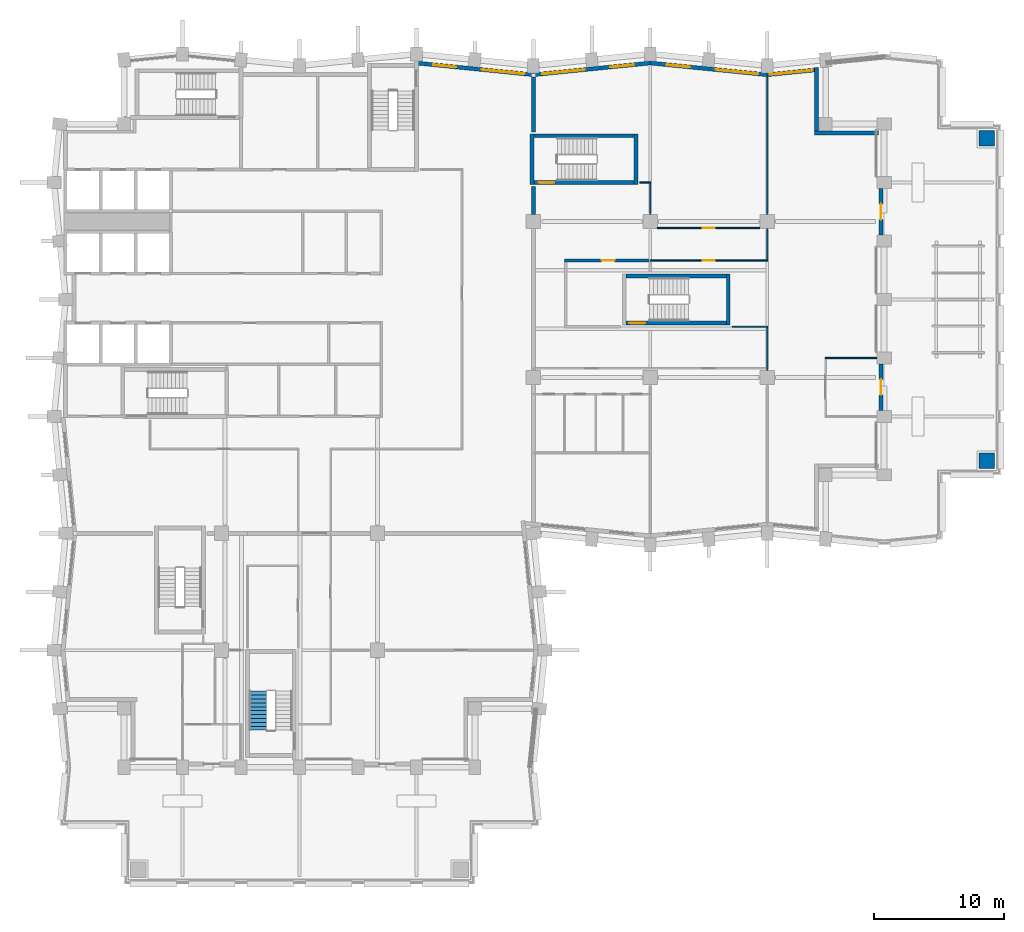
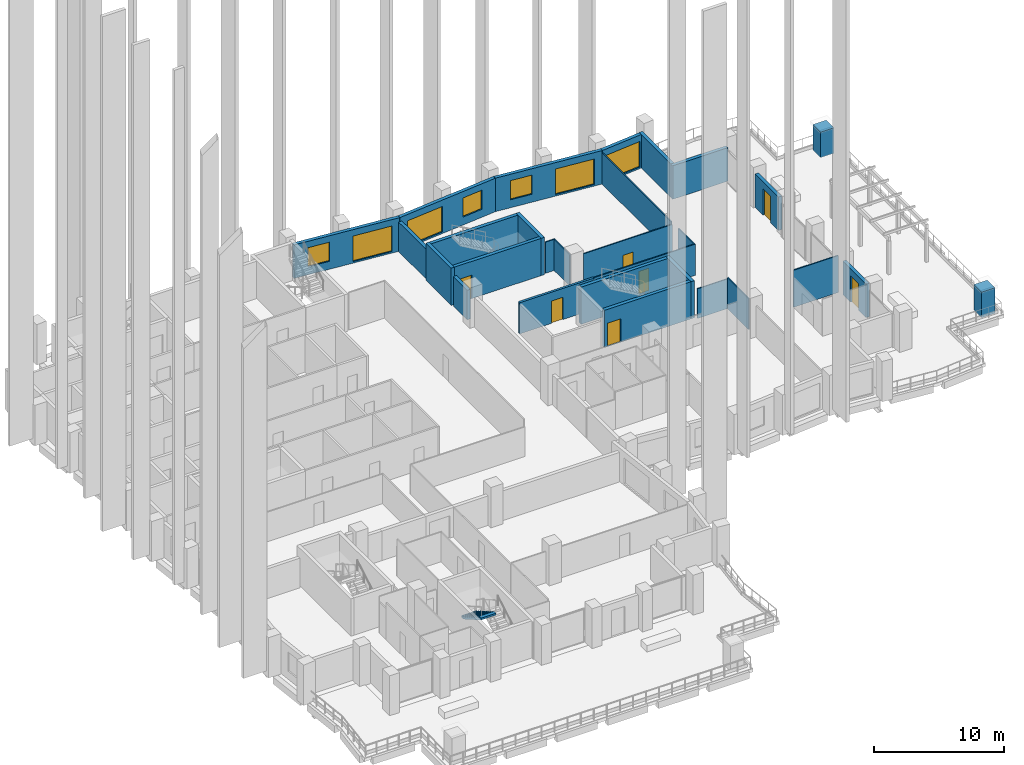
# One storey, part 14 of 18: 29 walls, 7 doors, 7 windows, 1 stair flight, 14 openings, 1 element without a shape of its own.
"""IFC4 building model written with IfcOpenShell, lengths in metres."""

from ifc_helpers import new_model, si_unit, direction, frame, frame_2d, origin, place, context, subcontext, project, spatial, polyline, rectangle, outline, extrude, material, layer, layer_set, type_object, element, fill, aggregate, save


model = new_model("IFC4")

# Units and contexts
model_context = context("Model", 3, precision=1e-05, world=origin(), true_north=direction((0.0, 1.0)))
body_context = subcontext(model_context, "Body", "Model", "MODEL_VIEW")
ifc_project = project(units=[si_unit("LENGTHUNIT", "METRE"), si_unit("AREAUNIT", "SQUARE_METRE"), si_unit("VOLUMEUNIT", "CUBIC_METRE"), si_unit("PLANEANGLEUNIT", "RADIAN"), si_unit("MASSUNIT", "GRAM", prefix="KILO")], contexts=[model_context])

# Site, building, storey
site_placement = place(None, origin())
site = spatial("IfcSite", under=ifc_project, at=site_placement, CompositionType="ELEMENT")
building_placement = place(site_placement, origin())
building = spatial("IfcBuilding", under=site, at=building_placement, Name="Brondeck Convention Tower", CompositionType="ELEMENT")
storey_placement = place(building_placement, frame((0.0, 0.0, 143.39990234375)))
storey = spatial("IfcBuildingStorey", under=building, at=storey_placement, Name="L34", CompositionType="ELEMENT", Elevation=143.39990234375)

# Walls
ifc_material_1 = material(Name="Concrete compartment wall C30/37", Category="concrete")
ifc_layer_1 = layer(ifc_material_1, 0.300048828125)
ifc_layer_set_1 = layer_set([ifc_layer_1], Name="Compartment wall 300")
wall_type_1 = type_object("IfcWallType", Name="Compartment wall 300", PredefinedType="PARTITIONING", material=ifc_layer_set_1)
wall_1_placement = place(storey_placement, frame((36.0, 51.554931640625, 0.0), z_axis=(0.0, 0.0, 1.0), x_axis=(0.0, 1.0, 0.0)))
element("IfcWall", 1, at=wall_1_placement, inside=storey, type_object=wall_type_1, Name="FLR-L34-W065", PredefinedType="PARTITIONING", context=body_context, shape_type="SweptSolid", body=[
    extrude(rectangle(XDim=2.14501953125, YDim=0.300048828125, at=frame_2d((1.072509765625, 0.0))), origin(), (0.0, 0.0, 1.0), 2.780029296875),
])
wall_2_placement = place(storey_placement, frame((36.0, 57.89990234375, 0.0), z_axis=(0.0, 0.0, 1.0), x_axis=(0.0, 1.0, 0.0)))
element("IfcWall", 2, at=wall_2_placement, inside=storey, type_object=wall_type_1, Name="FLR-L34-W071", PredefinedType="PARTITIONING", context=body_context, shape_type="SweptSolid", body=[
    extrude(rectangle(XDim=4.22607421875, YDim=0.300048828125, at=frame_2d((2.113037109375, 0.0))), origin(), (0.0, 0.0, 1.0), 2.780029296875),
])
ifc_material_2 = material(Name="Precast concrete C50/60 bronze finish", Category="concrete")
ifc_layer_2 = layer(ifc_material_2, 0.070068359375, Name="Bronze precast facing")
ifc_material_3 = material(Name="Mineral wool")
ifc_layer_3 = layer(ifc_material_3, 0.159912109375, Name="Insulation")
ifc_material_4 = material(Name="Concrete C35/45", Category="concrete")
ifc_layer_4 = layer(ifc_material_4, 0.070068359375, Name="Backing")
ifc_layer_set_2 = layer_set([ifc_layer_2, ifc_layer_3, ifc_layer_4], Name="External infill wall, precast concrete C50/60 bronze facing")
wall_type_2 = type_object("IfcWallType", Name="External infill wall, precast concrete C50/60 bronze facing", PredefinedType="SOLIDWALL", material=ifc_layer_set_2)
wall_3_placement = place(storey_placement, frame((57.64990234375, 57.800048828125, 0.0), z_axis=(0.0, 0.0, 1.0), x_axis=(1.0, 0.0, 0.0)))
element("IfcWall", 3, at=wall_3_placement, inside=storey, type_object=wall_type_2, Name="ENV-EW-L34-P1-NC-NEA63-01", PredefinedType="SOLIDWALL", context=body_context, shape_type="SweptSolid", body=[
    extrude(rectangle(XDim=4.900146484375, YDim=0.300048828125, at=frame_2d((2.4501953125, 0.0))), origin(), (0.0, 0.0, 1.0), 3.150146484375),
])
wall_4_placement = place(storey_placement, frame((57.800048828125, 62.84228515625, 0.0), z_axis=(0.0, 0.0, 1.0), x_axis=(0.0, -1.0, 0.0)))
element("IfcWall", 4, at=wall_4_placement, inside=storey, type_object=wall_type_2, Name="ENV-EW-L34-P1-NC-NEA63-02", PredefinedType="SOLIDWALL", context=body_context, shape_type="SweptSolid", body=[
    extrude(rectangle(XDim=4.894287109375, YDim=0.300048828125, at=frame_2d((2.447265625, 0.0))), origin(), (0.0, 0.0, 1.0), 3.150146484375),
])

# Wall, opening, window
wall_5_placement = place(storey_placement, frame((53.985107421875, 62.294921875, 0.0), z_axis=(0.0, 0.0, 1.0), x_axis=(0.99503719021, 0.099503719021, 0.0)))
wall_5 = element("IfcWall", 5, at=wall_5_placement, inside=storey, type_object=wall_type_2, Name="ENV-EW-L34-P1-A-N-12", PredefinedType="SOLIDWALL", context=body_context, shape_type="SweptSolid", body=[
    extrude(rectangle(XDim=3.677978515625, YDim=0.300048828125, at=frame_2d((1.8388671875, 0.0))), origin(), (0.0, 0.0, 1.0), 3.150146484375),
])
opening_1_placement = place(wall_5_placement, frame((0.22802734375, 0.0, 0.14990234375)))
opening_1 = element("IfcOpeningElement", 6, at=opening_1_placement, cuts=wall_5, Name="Opening W9", PredefinedType="OPENING", context=body_context, shape_type="SweptSolid", body=[
    extrude(rectangle(XDim=3.300048828125, YDim=2.39990234375, at=frame_2d((1.64990234375, 1.199951171875))), frame((0.0, 0.159912109375, 0.0), z_axis=(0.0, -1.0, 0.0), x_axis=(1.0, 0.0, 0.0)), (0.0, 0.0, 1.0), 0.320068359375),
])
ifc_material_5 = material(Name="Bronze tinted double glazing", Category="glass")
window_type_1 = type_object("IfcWindowType", Name="Glazed flute window, bronze tinted", PartitioningType="SINGLE_PANEL", PredefinedType="WINDOW", material=ifc_material_5)
window_1_placement = place(opening_1_placement, origin())
window_1 = element("IfcWindow", 7, at=window_1_placement, inside=storey, type_object=window_type_1, Name="ENV-WN-L34-P1-A-N-12", OverallHeight=2.39990234375, OverallWidth=3.300048828125, PartitioningType="SINGLE_PANEL", PredefinedType="WINDOW", context=body_context, shape_type="SweptSolid", body=[
    extrude(rectangle(XDim=3.300048828125, YDim=2.39990234375, at=frame_2d((1.64990234375, 1.199951171875))), frame((0.0, 0.030029296875, 0.0), z_axis=(0.0, -1.0, 0.0), x_axis=(1.0, 0.0, 0.0)), (0.0, 0.0, 1.0), 0.06005859375),
])
fill(opening_1, window_1)

# Wall, openings, windows
wall_6_placement = place(storey_placement, frame((44.985107421875, 63.197998046875, 0.0), z_axis=(0.0, 0.0, 1.0), x_axis=(0.995037993253, -0.099495688264, 0.0)))
wall_6 = element("IfcWall", 8, at=wall_6_placement, inside=storey, type_object=wall_type_2, Name="ENV-EW-L34-P1-A-N-11", PredefinedType="SOLIDWALL", context=body_context, shape_type="SweptSolid", body=[
    extrude(rectangle(XDim=9.030029296875, YDim=0.300048828125, at=frame_2d((4.51513671875, 0.0))), origin(), (0.0, 0.0, 1.0), 3.150146484375),
])
opening_2_placement = place(wall_6_placement, frame((1.30615234375, 0.0, 0.75)))
opening_2 = element("IfcOpeningElement", 9, at=opening_2_placement, cuts=wall_6, Name="Opening W10", PredefinedType="OPENING", context=body_context, shape_type="SweptSolid", body=[
    extrude(rectangle(XDim=1.800048828125, YDim=1.800048828125, at=frame_2d((0.89990234375, 0.89990234375))), frame((0.0, 0.159912109375, 0.0), z_axis=(0.0, -1.0, 0.0), x_axis=(1.0, 0.0, 0.0)), (0.0, 0.0, 1.0), 0.320068359375),
])
opening_3_placement = place(wall_6_placement, frame((5.07861328125, 0.0, 0.14990234375)))
opening_3 = element("IfcOpeningElement", 10, at=opening_3_placement, cuts=wall_6, Name="Opening W9", PredefinedType="OPENING", context=body_context, shape_type="SweptSolid", body=[
    extrude(rectangle(XDim=3.300048828125, YDim=2.39990234375, at=frame_2d((1.64990234375, 1.199951171875))), frame((0.0, 0.159912109375, 0.0), z_axis=(0.0, -1.0, 0.0), x_axis=(1.0, 0.0, 0.0)), (0.0, 0.0, 1.0), 0.320068359375),
])
window_2_placement = place(opening_3_placement, origin())
window_2 = element("IfcWindow", 11, at=window_2_placement, inside=storey, type_object=window_type_1, Name="ENV-WN-L34-P1-A-N-11", OverallHeight=2.39990234375, OverallWidth=3.300048828125, PartitioningType="SINGLE_PANEL", PredefinedType="WINDOW", context=body_context, shape_type="SweptSolid", body=[
    extrude(rectangle(XDim=3.300048828125, YDim=2.39990234375, at=frame_2d((1.64990234375, 1.199951171875))), frame((0.0, 0.030029296875, 0.0), z_axis=(0.0, -1.0, 0.0), x_axis=(1.0, 0.0, 0.0)), (0.0, 0.0, 1.0), 0.06005859375),
])
fill(opening_3, window_2)
window_type_2 = type_object("IfcWindowType", Name="Punched window, bronze tinted", PartitioningType="SINGLE_PANEL", PredefinedType="WINDOW", material=ifc_material_5)
window_3_placement = place(opening_2_placement, origin())
window_3 = element("IfcWindow", 12, at=window_3_placement, inside=storey, type_object=window_type_2, Name="ENV-WN-L34-P1-A-N-10", OverallHeight=1.800048828125, OverallWidth=1.800048828125, PartitioningType="SINGLE_PANEL", PredefinedType="WINDOW", context=body_context, shape_type="SweptSolid", body=[
    extrude(rectangle(XDim=1.800048828125, YDim=1.800048828125, at=frame_2d((0.89990234375, 0.89990234375))), frame((0.0, 0.030029296875, 0.0), z_axis=(0.0, -1.0, 0.0), x_axis=(1.0, 0.0, 0.0)), (0.0, 0.0, 1.0), 0.06005859375),
])
fill(opening_2, window_3)

wall_7_placement = place(storey_placement, frame((35.985107421875, 62.294921875, 0.0), z_axis=(0.0, 0.0, 1.0), x_axis=(0.995035316196, 0.099522457379, 0.0)))
wall_7 = element("IfcWall", 13, at=wall_7_placement, inside=storey, type_object=wall_type_2, Name="ENV-EW-L34-P1-A-N-09", PredefinedType="SOLIDWALL", context=body_context, shape_type="SweptSolid", body=[
    extrude(rectangle(XDim=9.030029296875, YDim=0.300048828125, at=frame_2d((4.51513671875, 0.0))), origin(), (0.0, 0.0, 1.0), 3.150146484375),
])
opening_4_placement = place(wall_7_placement, frame((0.6962890625, 0.0, 0.14990234375)))
opening_4 = element("IfcOpeningElement", 14, at=opening_4_placement, cuts=wall_7, Name="Opening W9", PredefinedType="OPENING", context=body_context, shape_type="SweptSolid", body=[
    extrude(rectangle(XDim=3.300048828125, YDim=2.39990234375, at=frame_2d((1.64990234375, 1.199951171875))), frame((0.0, 0.159912109375, 0.0), z_axis=(0.0, -1.0, 0.0), x_axis=(1.0, 0.0, 0.0)), (0.0, 0.0, 1.0), 0.320068359375),
])
opening_5_placement = place(wall_7_placement, frame((5.968505859375, 0.0, 0.75)))
opening_5 = element("IfcOpeningElement", 15, at=opening_5_placement, cuts=wall_7, Name="Opening W10", PredefinedType="OPENING", context=body_context, shape_type="SweptSolid", body=[
    extrude(rectangle(XDim=1.800048828125, YDim=1.800048828125, at=frame_2d((0.89990234375, 0.89990234375))), frame((0.0, 0.159912109375, 0.0), z_axis=(0.0, -1.0, 0.0), x_axis=(1.0, 0.0, 0.0)), (0.0, 0.0, 1.0), 0.320068359375),
])
window_4_placement = place(opening_4_placement, origin())
window_4 = element("IfcWindow", 16, at=window_4_placement, inside=storey, type_object=window_type_1, Name="ENV-WN-L34-P1-A-N-08", OverallHeight=2.39990234375, OverallWidth=3.300048828125, PartitioningType="SINGLE_PANEL", PredefinedType="WINDOW", context=body_context, shape_type="SweptSolid", body=[
    extrude(rectangle(XDim=3.300048828125, YDim=2.39990234375, at=frame_2d((1.64990234375, 1.199951171875))), frame((0.0, 0.030029296875, 0.0), z_axis=(0.0, -1.0, 0.0), x_axis=(1.0, 0.0, 0.0)), (0.0, 0.0, 1.0), 0.06005859375),
])
fill(opening_4, window_4)
window_5_placement = place(opening_5_placement, origin())
window_5 = element("IfcWindow", 17, at=window_5_placement, inside=storey, type_object=window_type_2, Name="ENV-WN-L34-P1-A-N-09", OverallHeight=1.800048828125, OverallWidth=1.800048828125, PartitioningType="SINGLE_PANEL", PredefinedType="WINDOW", context=body_context, shape_type="SweptSolid", body=[
    extrude(rectangle(XDim=1.800048828125, YDim=1.800048828125, at=frame_2d((0.89990234375, 0.89990234375))), frame((0.0, 0.030029296875, 0.0), z_axis=(0.0, -1.0, 0.0), x_axis=(1.0, 0.0, 0.0)), (0.0, 0.0, 1.0), 0.06005859375),
])
fill(opening_5, window_5)

wall_8_placement = place(storey_placement, frame((27.07958984375, 63.188720703125, 0.0), z_axis=(0.0, 0.0, 1.0), x_axis=(0.995036108007, -0.099514540459, 0.0)))
wall_8 = element("IfcWall", 18, at=wall_8_placement, inside=storey, type_object=wall_type_2, Name="ENV-EW-L34-P1-A-N-07", PredefinedType="SOLIDWALL", context=body_context, shape_type="SweptSolid", body=[
    extrude(rectangle(XDim=8.93505859375, YDim=0.300048828125, at=frame_2d((4.467529296875, 0.0))), origin(), (0.0, 0.0, 1.0), 3.150146484375),
])
opening_6_placement = place(wall_8_placement, frame((1.211181640625, 0.0, 0.75)))
opening_6 = element("IfcOpeningElement", 19, at=opening_6_placement, cuts=wall_8, Name="Opening W10", PredefinedType="OPENING", context=body_context, shape_type="SweptSolid", body=[
    extrude(rectangle(XDim=1.800048828125, YDim=1.800048828125, at=frame_2d((0.89990234375, 0.89990234375))), frame((0.0, 0.159912109375, 0.0), z_axis=(0.0, -1.0, 0.0), x_axis=(1.0, 0.0, 0.0)), (0.0, 0.0, 1.0), 0.320068359375),
])
opening_7_placement = place(wall_8_placement, frame((4.983642578125, 0.0, 0.14990234375)))
opening_7 = element("IfcOpeningElement", 20, at=opening_7_placement, cuts=wall_8, Name="Opening W9", PredefinedType="OPENING", context=body_context, shape_type="SweptSolid", body=[
    extrude(rectangle(XDim=3.300048828125, YDim=2.39990234375, at=frame_2d((1.64990234375, 1.199951171875))), frame((0.0, 0.159912109375, 0.0), z_axis=(0.0, -1.0, 0.0), x_axis=(1.0, 0.0, 0.0)), (0.0, 0.0, 1.0), 0.320068359375),
])
window_6_placement = place(opening_7_placement, origin())
window_6 = element("IfcWindow", 21, at=window_6_placement, inside=storey, type_object=window_type_1, Name="ENV-WN-L34-P1-A-N-07", OverallHeight=2.39990234375, OverallWidth=3.300048828125, PartitioningType="SINGLE_PANEL", PredefinedType="WINDOW", context=body_context, shape_type="SweptSolid", body=[
    extrude(rectangle(XDim=3.300048828125, YDim=2.39990234375, at=frame_2d((1.64990234375, 1.199951171875))), frame((0.0, 0.030029296875, 0.0), z_axis=(0.0, -1.0, 0.0), x_axis=(1.0, 0.0, 0.0)), (0.0, 0.0, 1.0), 0.06005859375),
])
fill(opening_7, window_6)
window_7_placement = place(opening_6_placement, origin())
window_7 = element("IfcWindow", 22, at=window_7_placement, inside=storey, type_object=window_type_2, Name="ENV-WN-L34-P1-A-N-06", OverallHeight=1.800048828125, OverallWidth=1.800048828125, PartitioningType="SINGLE_PANEL", PredefinedType="WINDOW", context=body_context, shape_type="SweptSolid", body=[
    extrude(rectangle(XDim=1.800048828125, YDim=1.800048828125, at=frame_2d((0.89990234375, 0.89990234375))), frame((0.0, 0.030029296875, 0.0), z_axis=(0.0, -1.0, 0.0), x_axis=(1.0, 0.0, 0.0)), (0.0, 0.0, 1.0), 0.06005859375),
])
fill(opening_6, window_7)

# Wall, opening, door
wall_9_placement = place(storey_placement, frame((62.75, 40.050048828125, 0.0), z_axis=(0.0, 0.0, 1.0), x_axis=(0.0, -1.0, 0.0)))
wall_9 = element("IfcWall", 23, at=wall_9_placement, inside=storey, type_object=wall_type_2, Name="ENV-TW-L34-P1-A-E63-02", PredefinedType="SOLIDWALL", context=body_context, shape_type="SweptSolid", body=[
    extrude(rectangle(XDim=3.60009765625, YDim=0.300048828125, at=frame_2d((1.800048828125, 0.0))), origin(), (0.0, 0.0, 1.0), 3.150146484375),
])
opening_8_placement = place(wall_9_placement, frame((1.199951171875, 0.0, 0.0)))
opening_8 = element("IfcOpeningElement", 24, at=opening_8_placement, cuts=wall_9, Name="Opening DB-L34-A-E63-02", PredefinedType="OPENING", context=body_context, shape_type="SweptSolid", body=[
    extrude(rectangle(XDim=1.199951171875, YDim=2.5, at=frame_2d((0.60009765625, 1.25))), frame((0.0, 0.159912109375, 0.0), z_axis=(0.0, -1.0, 0.0), x_axis=(1.0, 0.0, 0.0)), (0.0, 0.0, 1.0), 0.320068359375),
])
ifc_material_6 = material(Name="Aluminium, bronze anodised", Category="aluminium")
door_type_1 = type_object("IfcDoorType", Name="Terrace door, single leaf", OperationType="SINGLE_SWING_LEFT", PredefinedType="DOOR", material=ifc_material_6)
door_1_placement = place(opening_8_placement, origin())
door_1 = element("IfcDoor", 25, at=door_1_placement, inside=storey, type_object=door_type_1, Name="ENV-D-DB-L34-A-E63-02", OperationType="SINGLE_SWING_RIGHT", OverallHeight=2.5, OverallWidth=1.199951171875, PredefinedType="DOOR", context=body_context, shape_type="SweptSolid", body=[
    extrude(rectangle(XDim=1.199951171875, YDim=2.5, at=frame_2d((0.60009765625, 1.25))), frame((0.0, 0.02490234375, 0.0), z_axis=(0.0, -1.0, 0.0), x_axis=(1.0, 0.0, 0.0)), (0.0, 0.0, 1.0), 0.050048828125),
])
fill(opening_8, door_1)

wall_10_placement = place(storey_placement, frame((62.75, 53.550048828125, 0.0), z_axis=(0.0, 0.0, 1.0), x_axis=(0.0, -1.0, 0.0)))
wall_10 = element("IfcWall", 26, at=wall_10_placement, inside=storey, type_object=wall_type_2, Name="ENV-TW-L34-P1-A-E63-05", PredefinedType="SOLIDWALL", context=body_context, shape_type="SweptSolid", body=[
    extrude(rectangle(XDim=3.60009765625, YDim=0.300048828125, at=frame_2d((1.800048828125, 0.0))), origin(), (0.0, 0.0, 1.0), 3.150146484375),
])
opening_9_placement = place(wall_10_placement, frame((1.199951171875, 0.0, 0.0)))
opening_9 = element("IfcOpeningElement", 27, at=opening_9_placement, cuts=wall_10, Name="Opening DB-L34-A-E63-05", PredefinedType="OPENING", context=body_context, shape_type="SweptSolid", body=[
    extrude(rectangle(XDim=1.199951171875, YDim=2.5, at=frame_2d((0.60009765625, 1.25))), frame((0.0, 0.159912109375, 0.0), z_axis=(0.0, -1.0, 0.0), x_axis=(1.0, 0.0, 0.0)), (0.0, 0.0, 1.0), 0.320068359375),
])
door_2_placement = place(opening_9_placement, origin())
door_2 = element("IfcDoor", 28, at=door_2_placement, inside=storey, type_object=door_type_1, Name="ENV-D-DB-L34-A-E63-05", OperationType="SINGLE_SWING_RIGHT", OverallHeight=2.5, OverallWidth=1.199951171875, PredefinedType="DOOR", context=body_context, shape_type="SweptSolid", body=[
    extrude(rectangle(XDim=1.199951171875, YDim=2.5, at=frame_2d((0.60009765625, 1.25))), frame((0.0, 0.02490234375, 0.0), z_axis=(0.0, -1.0, 0.0), x_axis=(1.0, 0.0, 0.0)), (0.0, 0.0, 1.0), 0.050048828125),
])
fill(opening_9, door_2)

ifc_material_7 = material(Name="Concrete block wall C16/20", Category="concrete")
ifc_layer_5 = layer(ifc_material_7, 0.199951171875)
ifc_layer_set_3 = layer_set([ifc_layer_5], Name="Plant room wall 200")
wall_type_3 = type_object("IfcWallType", Name="Plant room wall 200", PredefinedType="PARTITIONING", material=ifc_layer_set_3)
wall_11_placement = place(storey_placement, frame((45.0, 48.0, 0.0), z_axis=(0.0, 0.0, 1.0), x_axis=(-1.0, 0.0, 0.0)))
wall_11 = element("IfcWall", 29, at=wall_11_placement, inside=storey, type_object=wall_type_3, Name="FLR-L34-W061", PredefinedType="PARTITIONING", context=body_context, shape_type="SweptSolid", body=[
    extrude(rectangle(XDim=6.60009765625, YDim=0.199951171875, at=frame_2d((3.300048828125, 0.0))), origin(), (0.0, 0.0, 1.0), 2.93017578125),
])
opening_10_placement = place(wall_11_placement, frame((2.75, 0.0, 0.0)))
opening_10 = element("IfcOpeningElement", 30, at=opening_10_placement, cuts=wall_11, Name="Opening OF-F-002", PredefinedType="OPENING", context=body_context, shape_type="SweptSolid", body=[
    extrude(rectangle(XDim=1.0, YDim=2.10009765625, at=frame_2d((0.5, 1.050048828125))), frame((0.0, 0.10986328125, 0.0), z_axis=(0.0, -1.0, 0.0), x_axis=(1.0, 0.0, 0.0)), (0.0, 0.0, 1.0), 0.219970703125),
])
ifc_material_8 = material(Name="Steel fire door leaf", Category="steel")
door_type_2 = type_object("IfcDoorType", Name="Plant room door 1000", OperationType="NOTDEFINED", PredefinedType="DOOR", material=ifc_material_8)
door_3_placement = place(opening_10_placement, origin())
door_3 = element("IfcDoor", 31, at=door_3_placement, inside=storey, type_object=door_type_2, Name="Door OF-F-002", OperationType="SINGLE_SWING_RIGHT", OverallHeight=2.10009765625, OverallWidth=1.0, PredefinedType="DOOR", context=body_context, shape_type="SweptSolid", body=[
    extrude(rectangle(XDim=1.0, YDim=2.10009765625, at=frame_2d((0.5, 1.050048828125))), frame((0.0, 0.02490234375, 0.0), z_axis=(0.0, -1.0, 0.0), x_axis=(1.0, 0.0, 0.0)), (0.0, 0.0, 1.0), 0.050048828125),
])
fill(opening_10, door_3)

# Walls
ifc_material_9 = material(Name="Gypsum board partition on steel studs", Category="steel")
ifc_layer_6 = layer(ifc_material_9, 0.10009765625)
ifc_layer_set_4 = layer_set([ifc_layer_6], Name="Room partition 100")
wall_type_4 = type_object("IfcWallType", Name="Room partition 100", PredefinedType="PARTITIONING", material=ifc_layer_set_4)
wall_12_placement = place(storey_placement, frame((58.449951171875, 40.5, 0.0), z_axis=(0.0, 0.0, 1.0), x_axis=(1.0, 0.0, 0.0)))
element("IfcWall", 32, at=wall_12_placement, inside=storey, type_object=wall_type_4, Name="FLR-L34-W055", PredefinedType="PARTITIONING", context=body_context, shape_type="SweptSolid", body=[
    extrude(rectangle(XDim=3.97998046875, YDim=0.10009765625, at=frame_2d((1.989990234375, 0.0))), origin(), (0.0, 0.0, 1.0), 3.47998046875),
])
wall_13_placement = place(storey_placement, frame((54.0, 42.85009765625, 0.0), z_axis=(0.0, 0.0, 1.0), x_axis=(0.0, -1.0, 0.0)))
element("IfcWall", 33, at=wall_13_placement, inside=storey, type_object=wall_type_4, Name="FLR-L34-W056", PredefinedType="PARTITIONING", context=body_context, shape_type="SweptSolid", body=[
    extrude(rectangle(XDim=3.280029296875, YDim=0.10009765625, at=frame_2d((1.64013671875, 0.0))), origin(), (0.0, 0.0, 1.0), 2.93017578125),
])
wall_14_placement = place(storey_placement, frame((51.300048828125, 42.89990234375, 0.0), z_axis=(0.0, 0.0, 1.0), x_axis=(1.0, 0.0, 0.0)))
element("IfcWall", 34, at=wall_14_placement, inside=storey, type_object=wall_type_4, Name="FLR-L34-W058", PredefinedType="PARTITIONING", context=body_context, shape_type="SweptSolid", body=[
    extrude(rectangle(XDim=2.75, YDim=0.10009765625, at=frame_2d((1.375, 0.0))), origin(), (0.0, 0.0, 1.0), 2.780029296875),
])

# Wall, opening, door
wall_15_placement = place(storey_placement, frame((54.050048828125, 48.0, 0.0), z_axis=(0.0, 0.0, 1.0), x_axis=(-1.0, 0.0, 0.0)))
wall_15 = element("IfcWall", 35, at=wall_15_placement, inside=storey, type_object=wall_type_4, Name="FLR-L34-W062", PredefinedType="PARTITIONING", context=body_context, shape_type="SweptSolid", body=[
    extrude(rectangle(XDim=9.050048828125, YDim=0.10009765625, at=frame_2d((4.52490234375, 0.0))), origin(), (0.0, 0.0, 1.0), 2.93017578125),
])
opening_11_placement = place(wall_15_placement, frame((4.10009765625, 0.0, 0.0)))
opening_11 = element("IfcOpeningElement", 36, at=opening_11_placement, cuts=wall_15, Name="Opening OF-F-006", PredefinedType="OPENING", context=body_context, shape_type="SweptSolid", body=[
    extrude(rectangle(XDim=0.89990234375, YDim=2.10009765625, at=frame_2d((0.449951171875, 1.050048828125))), frame((0.0, 0.06005859375, 0.0), z_axis=(0.0, -1.0, 0.0), x_axis=(1.0, 0.0, 0.0)), (0.0, 0.0, 1.0), 0.1201171875),
])
ifc_material_10 = material(Name="Solid timber door leaf", Category="wood")
door_type_3 = type_object("IfcDoorType", Name="Single door 900", OperationType="NOTDEFINED", PredefinedType="DOOR", material=ifc_material_10)
door_4_placement = place(opening_11_placement, origin())
door_4 = element("IfcDoor", 37, at=door_4_placement, inside=storey, type_object=door_type_3, Name="Door OF-F-006", OperationType="SINGLE_SWING_RIGHT", OverallHeight=2.10009765625, OverallWidth=0.89990234375, PredefinedType="DOOR", context=body_context, shape_type="SweptSolid", body=[
    extrude(rectangle(XDim=0.89990234375, YDim=2.10009765625, at=frame_2d((0.449951171875, 1.050048828125))), frame((0.0, 0.02490234375, 0.0), z_axis=(0.0, -1.0, 0.0), x_axis=(1.0, 0.0, 0.0)), (0.0, 0.0, 1.0), 0.050048828125),
])
fill(opening_11, door_4)

# Wall
wall_16_placement = place(storey_placement, frame((54.0, 50.445068359375, 0.0), z_axis=(0.0, 0.0, 1.0), x_axis=(0.0, -1.0, 0.0)))
element("IfcWall", 38, at=wall_16_placement, inside=storey, type_object=wall_type_4, Name="FLR-L34-W063", PredefinedType="PARTITIONING", context=body_context, shape_type="SweptSolid", body=[
    extrude(rectangle(XDim=2.39501953125, YDim=0.10009765625, at=frame_2d((1.197509765625, 0.0))), origin(), (0.0, 0.0, 1.0), 2.93017578125),
])

# Wall, opening, door
wall_17_placement = place(storey_placement, frame((45.554931640625, 50.5, 0.0), z_axis=(0.0, 0.0, 1.0), x_axis=(1.0, 0.0, 0.0)))
wall_17 = element("IfcWall", 39, at=wall_17_placement, inside=storey, type_object=wall_type_4, Name="FLR-L34-W064", PredefinedType="PARTITIONING", context=body_context, shape_type="SweptSolid", body=[
    extrude(rectangle(XDim=7.89013671875, YDim=0.10009765625, at=frame_2d((3.945068359375, 0.0))), origin(), (0.0, 0.0, 1.0), 3.47998046875),
])
opening_12_placement = place(wall_17_placement, frame((3.4951171875, 0.0, 0.0)))
opening_12 = element("IfcOpeningElement", 40, at=opening_12_placement, cuts=wall_17, Name="Opening OF-F-013", PredefinedType="OPENING", context=body_context, shape_type="SweptSolid", body=[
    extrude(rectangle(XDim=0.89990234375, YDim=2.10009765625, at=frame_2d((0.449951171875, 1.050048828125))), frame((0.0, 0.06005859375, 0.0), z_axis=(0.0, -1.0, 0.0), x_axis=(1.0, 0.0, 0.0)), (0.0, 0.0, 1.0), 0.1201171875),
])
door_5_placement = place(opening_12_placement, origin())
door_5 = element("IfcDoor", 41, at=door_5_placement, inside=storey, type_object=door_type_3, Name="Door OF-F-013", OperationType="SINGLE_SWING_LEFT", OverallHeight=2.10009765625, OverallWidth=0.89990234375, PredefinedType="DOOR", context=body_context, shape_type="SweptSolid", body=[
    extrude(rectangle(XDim=0.89990234375, YDim=2.10009765625, at=frame_2d((0.449951171875, 1.050048828125))), frame((0.0, 0.02490234375, 0.0), z_axis=(0.0, -1.0, 0.0), x_axis=(1.0, 0.0, 0.0)), (0.0, 0.0, 1.0), 0.050048828125),
])
fill(opening_12, door_5)

# Walls
wall_18_placement = place(storey_placement, frame((54.0, 51.554931640625, 0.0), z_axis=(0.0, 0.0, 1.0), x_axis=(0.0, 1.0, 0.0)))
element("IfcWall", 42, at=wall_18_placement, inside=storey, type_object=wall_type_4, Name="FLR-L34-W066", PredefinedType="PARTITIONING", context=body_context, shape_type="SweptSolid", body=[
    extrude(rectangle(XDim=10.57080078125, YDim=0.10009765625, at=frame_2d((5.285400390625, 0.0))), origin(), (0.0, 0.0, 1.0), 2.93017578125),
])
wall_19_placement = place(storey_placement, frame((45.0, 53.949951171875, 0.0), z_axis=(0.0, 0.0, 1.0), x_axis=(0.0, -1.0, 0.0)))
element("IfcWall", 43, at=wall_19_placement, inside=storey, type_object=wall_type_4, Name="FLR-L34-W067", PredefinedType="PARTITIONING", context=body_context, shape_type="SweptSolid", body=[
    extrude(rectangle(XDim=2.39501953125, YDim=0.10009765625, at=frame_2d((1.197509765625, 0.0))), origin(), (0.0, 0.0, 1.0), 2.93017578125),
])
wall_20_placement = place(storey_placement, frame((44.199951171875, 54.0, 0.0), z_axis=(0.0, 0.0, 1.0), x_axis=(1.0, 0.0, 0.0)))
element("IfcWall", 44, at=wall_20_placement, inside=storey, type_object=wall_type_4, Name="FLR-L34-W068", PredefinedType="PARTITIONING", context=body_context, shape_type="SweptSolid", body=[
    extrude(rectangle(XDim=0.85009765625, YDim=0.10009765625, at=frame_2d((0.425048828125, 0.0))), origin(), (0.0, 0.0, 1.0), 2.93017578125),
])

# Wall, opening, door
ifc_material_11 = material(Name="Concrete C70/85", Category="concrete")
ifc_layer_7 = layer(ifc_material_11, 0.300048828125)
ifc_layer_set_5 = layer_set([ifc_layer_7], Name="Stair enclosure wall 300 Concrete C70/85")
wall_type_5 = type_object("IfcWallType", Name="Stair enclosure wall 300 Concrete C70/85", PredefinedType="SHEAR", material=ifc_layer_set_5)
wall_21_placement = place(storey_placement, frame((43.14990234375, 43.199951171875, 0.0), z_axis=(0.0, 0.0, 1.0), x_axis=(1.0, 0.0, 0.0)))
wall_21 = element("IfcWall", 45, at=wall_21_placement, inside=storey, type_object=wall_type_5, Name="L34 core wall", PredefinedType="SHEAR", context=body_context, shape_type="SweptSolid", body=[
    extrude(rectangle(XDim=7.7001953125, YDim=0.300048828125, at=frame_2d((3.85009765625, 0.0))), origin(), (0.0, 0.0, 1.0), 3.5),
])
opening_13_placement = place(wall_21_placement, frame((0.25, 0.0, 0.0)))
opening_13 = element("IfcOpeningElement", 46, at=opening_13_placement, cuts=wall_21, Name="Opening C20-17", PredefinedType="OPENING", context=body_context, shape_type="SweptSolid", body=[
    extrude(rectangle(XDim=1.199951171875, YDim=2.199951171875, at=frame_2d((0.60009765625, 1.10009765625))), frame((0.0, 0.159912109375, 0.0), z_axis=(0.0, -1.0, 0.0), x_axis=(1.0, 0.0, 0.0)), (0.0, 0.0, 1.0), 0.320068359375),
])
ifc_material_12 = material(Name="Steel fire door", Category="steel")
door_type_4 = type_object("IfcDoorType", Name="Stair door 1200x2200 EI 90", OperationType="NOTDEFINED", PredefinedType="DOOR", material=ifc_material_12)
door_6_placement = place(opening_13_placement, origin())
door_6 = element("IfcDoor", 47, at=door_6_placement, inside=storey, type_object=door_type_4, Name="L34 Stair door ST-AF", OperationType="SINGLE_SWING_RIGHT", OverallHeight=2.199951171875, OverallWidth=1.199951171875, PredefinedType="DOOR", context=body_context, shape_type="SweptSolid", body=[
    extrude(rectangle(XDim=1.199951171875, YDim=2.199951171875, at=frame_2d((0.60009765625, 1.10009765625))), frame((0.0, 0.02490234375, 0.0), z_axis=(0.0, -1.0, 0.0), x_axis=(1.0, 0.0, 0.0)), (0.0, 0.0, 1.0), 0.050048828125),
])
fill(opening_13, door_6)

# Wall
wall_22_placement = place(storey_placement, frame((43.14990234375, 46.800048828125, 0.0), z_axis=(0.0, 0.0, 1.0), x_axis=(1.0, 0.0, 0.0)))
element("IfcWall", 48, at=wall_22_placement, inside=storey, type_object=wall_type_5, Name="L34 core wall", PredefinedType="SHEAR", context=body_context, shape_type="SweptSolid", body=[
    extrude(rectangle(XDim=7.7001953125, YDim=0.300048828125, at=frame_2d((3.85009765625, 0.0))), origin(), (0.0, 0.0, 1.0), 3.5),
])

# Wall, opening, door
wall_23_placement = place(storey_placement, frame((36.050048828125, 54.0, 0.0), z_axis=(0.0, 0.0, 1.0), x_axis=(1.0, 0.0, 0.0)))
wall_23 = element("IfcWall", 49, at=wall_23_placement, inside=storey, type_object=wall_type_5, Name="L34 core wall", PredefinedType="SHEAR", context=body_context, shape_type="SweptSolid", body=[
    extrude(rectangle(XDim=7.699951171875, YDim=0.300048828125, at=frame_2d((3.85009765625, 0.0))), origin(), (0.0, 0.0, 1.0), 3.5),
])
opening_14_placement = place(wall_23_placement, frame((0.35009765625, 0.0, 0.0)))
opening_14 = element("IfcOpeningElement", 50, at=opening_14_placement, cuts=wall_23, Name="Opening C20-16", PredefinedType="OPENING", context=body_context, shape_type="SweptSolid", body=[
    extrude(rectangle(XDim=1.199951171875, YDim=2.199951171875, at=frame_2d((0.60009765625, 1.10009765625))), frame((0.0, 0.159912109375, 0.0), z_axis=(0.0, -1.0, 0.0), x_axis=(1.0, 0.0, 0.0)), (0.0, 0.0, 1.0), 0.320068359375),
])
door_7_placement = place(opening_14_placement, origin())
door_7 = element("IfcDoor", 51, at=door_7_placement, inside=storey, type_object=door_type_4, Name="L34 Stair door ST-AE", OperationType="SINGLE_SWING_LEFT", OverallHeight=2.199951171875, OverallWidth=1.199951171875, PredefinedType="DOOR", context=body_context, shape_type="SweptSolid", body=[
    extrude(rectangle(XDim=1.199951171875, YDim=2.199951171875, at=frame_2d((0.60009765625, 1.10009765625))), frame((0.0, 0.02490234375, 0.0), z_axis=(0.0, -1.0, 0.0), x_axis=(1.0, 0.0, 0.0)), (0.0, 0.0, 1.0), 0.050048828125),
])
fill(opening_14, door_7)

# Walls
wall_24_placement = place(storey_placement, frame((36.050048828125, 57.60009765625, 0.0), z_axis=(0.0, 0.0, 1.0), x_axis=(1.0, 0.0, 0.0)))
element("IfcWall", 52, at=wall_24_placement, inside=storey, type_object=wall_type_5, Name="L34 core wall", PredefinedType="SHEAR", context=body_context, shape_type="SweptSolid", body=[
    extrude(rectangle(XDim=7.699951171875, YDim=0.300048828125, at=frame_2d((3.85009765625, 0.0))), origin(), (0.0, 0.0, 1.0), 3.5),
])
for number, where, z_axis, x_axis, name in (
    (53, (35.89990234375, 53.85009765625, 0.0), (0.0, 0.0, 1.0), (0.0, 1.0, 0.0), "L34 core wall"),
    (54, (43.89990234375, 53.85009765625, 0.0), (0.0, 0.0, 1.0), (0.0, 1.0, 0.0), "L34 core wall"),
    (55, (51.0, 43.050048828125, 0.0), (0.0, 0.0, 1.0), (0.0, 1.0, 0.0), "L34 core wall"),
):
    element("IfcWall", number, at=place(storey_placement, frame(where, z_axis=z_axis, x_axis=x_axis)), inside=storey, type_object=wall_type_5, Name=name, PredefinedType="SHEAR", context=body_context, shape_type="SweptSolid", body=[
        extrude(rectangle(XDim=3.89990234375, YDim=0.300048828125, at=frame_2d((1.949951171875, 0.0))), origin(), (0.0, 0.0, 1.0), 3.5),
    ])
ifc_layer_8 = layer(ifc_material_2, 1.199951171875)
ifc_layer_set_6 = layer_set([ifc_layer_8], Name="Terrace finial shaft, precast concrete C50/60")
wall_type_6 = type_object("IfcWallType", Name="Terrace finial shaft, precast concrete C50/60", PredefinedType="SOLIDWALL", material=ifc_layer_set_6)
wall_25_placement = place(storey_placement, origin())
element("IfcWall", 56, at=wall_25_placement, inside=storey, type_object=wall_type_6, Name="ENV-FT-S1-2-1-S", PredefinedType="SOLIDWALL", context=body_context, shape_type="SweptSolid", body=[
    extrude(outline(polyline([(71.5, 32.0), (71.5, 33.199951171875), (70.300048828125, 33.199951171875), (70.300048828125, 32.0), (71.5, 32.0)])), origin(), (0.0, 0.0, 1.0), 2.400146484375),
])
wall_26_placement = place(storey_placement, origin())
element("IfcWall", 57, at=wall_26_placement, inside=storey, type_object=wall_type_6, Name="ENV-FT-S1-2-2-S", PredefinedType="SOLIDWALL", context=body_context, shape_type="SweptSolid", body=[
    extrude(outline(polyline([(71.5, 56.800048828125), (71.5, 58.0), (70.300048828125, 58.0), (70.300048828125, 56.800048828125), (71.5, 56.800048828125)])), origin(), (0.0, 0.0, 1.0), 2.400146484375),
])

# Stair, stair flight
ifc_material_13 = material(Name="Precast concrete C50/60", Category="concrete")
stair_type = type_object("IfcStairType", Name="Core stair 22 risers 172.73 mm riser 300 mm going 1350 wide", PredefinedType="HALF_TURN_STAIR", material=ifc_material_13)
stair_placement = place(storey_placement, origin())
stair = element("IfcStair", 58, at=stair_placement, inside=storey, type_object=stair_type, Name="ST-BF L34 stair", PredefinedType="HALF_TURN_STAIR")
stair_flight_type = type_object("IfcStairFlightType", Name="Core stair flight 22 risers 172.73 mm riser 300 mm going 1350 wide", PredefinedType="STRAIGHT", material=ifc_material_13)
stair_flight_placement = place(storey_placement, frame((14.824951171875, 14.85009765625, 1.900146484375), z_axis=(0.0, 0.0, 1.0), x_axis=(0.0, -1.0, 0.0)))
stair_flight = element("IfcStairFlight", 59, at=stair_flight_placement, type_object=stair_flight_type, Name="ST-BF flight 2", NumberOfRisers=11, NumberOfTreads=10, PredefinedType="STRAIGHT", RiserHeight=0.172727273, TreadLength=0.3, context=body_context, shape_type="SweptSolid", body=[
    extrude(outline(polyline([(0.0, 0.0), (0.0, 0.172607421875), (0.300048828125, 0.172607421875), (0.300048828125, 0.345458984375), (0.60009765625, 0.345458984375), (0.60009765625, 0.51806640625), (0.89990234375, 0.51806640625), (0.89990234375, 0.69091796875), (1.199951171875, 0.69091796875), (1.199951171875, 0.863525390625), (1.5, 0.863525390625), (1.5, 1.036376953125), (1.800048828125, 1.036376953125), (1.800048828125, 1.208984375), (2.10009765625, 1.208984375), (2.10009765625, 1.3818359375), (2.39990234375, 1.3818359375), (2.39990234375, 1.554443359375), (2.699951171875, 1.554443359375), (2.699951171875, 1.727294921875), (3.0, 1.727294921875), (3.0, 1.89990234375), (3.0, 1.55419921875), (0.300537109375, 0.0), (0.0, 0.0)])), frame((0.0, 0.675048828125, 0.0), z_axis=(0.0, -1.0, 0.0), x_axis=(1.0, 0.0, 0.0)), (0.0, 0.0, 1.0), 1.35009765625),
])
aggregate(stair, [stair_flight])

save(model, "model.ifc")
